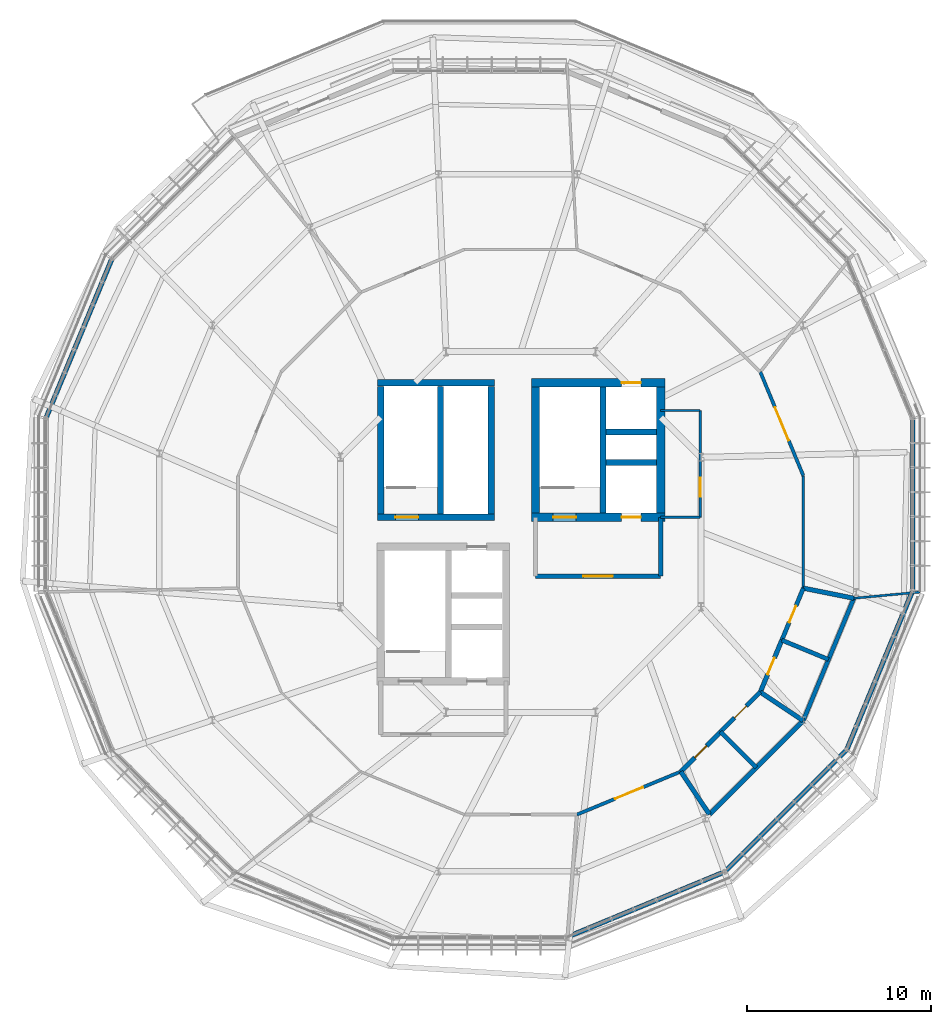
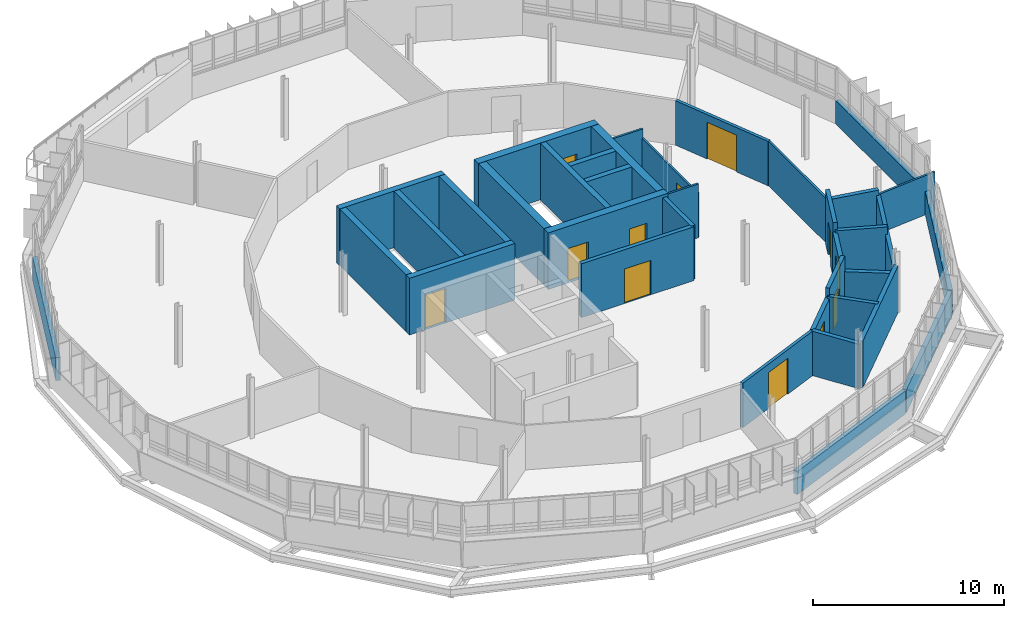
# One storey, part 27 of 31: 37 walls, 12 doors, 12 openings.
"""IFC4 building model written with IfcOpenShell, lengths in metres."""

from ifc_helpers import new_model, si_unit, derived_unit, direction, frame, frame_2d, origin, place, context, subcontext, project, spatial, rectangle, extrude, material, layer, layer_set, type_object, element, fill, save


model = new_model("IFC4")

# Units and contexts
model_context = context("Model", 3, precision=1e-05, world=origin(), true_north=direction((0.0, 1.0)))
body_context = subcontext(model_context, "Body", "Model", "MODEL_VIEW")
ifc_project = project(units=[si_unit("LENGTHUNIT", "METRE"), si_unit("AREAUNIT", "SQUARE_METRE"), si_unit("VOLUMEUNIT", "CUBIC_METRE"), si_unit("PLANEANGLEUNIT", "RADIAN"), si_unit("MASSUNIT", "GRAM", prefix="KILO"), derived_unit("THERMALTRANSMITTANCEUNIT", [(si_unit("MASSUNIT", "GRAM", prefix="KILO"), 1), (si_unit("TIMEUNIT", "SECOND"), -3), (si_unit("THERMODYNAMICTEMPERATUREUNIT", "KELVIN"), -1)])], contexts=[model_context])

# Site, building, storey
site_placement = place(None, origin())
site = spatial("IfcSite", under=ifc_project, at=site_placement, CompositionType="ELEMENT")
building_placement = place(site_placement, origin())
building = spatial("IfcBuilding", under=site, at=building_placement, Name="Makaiwela Harbour Ferry Terminal", CompositionType="ELEMENT")
storey_placement = place(building_placement, frame((0.0, 0.0, 21.60009765625)))
storey = spatial("IfcBuildingStorey", under=building, at=storey_placement, Name="L05", CompositionType="ELEMENT", Elevation=21.60009765625)

# Walls
ifc_material_1 = material(Name="Precast concrete f'c 40 MPa (6000 psi)", Category="concrete")
ifc_layer_1 = layer(ifc_material_1, 0.260009765625)
ifc_layer_set_1 = layer_set([ifc_layer_1], Name="Precast concrete f'c 40 MPa (6000 psi)")
wall_type_1 = type_object("IfcWallType", Name="ENV-WL-EXT260", PredefinedType="SOLIDWALL", material=ifc_layer_set_1)
wall_1_placement = place(storey_placement, frame((15.583251953125, 82.406005859375, 0.0), z_axis=(0.0, 0.0, 1.0), x_axis=(-0.382673140408, -0.923883795512, 0.0)))
element("IfcWall", 1, at=wall_1_placement, inside=storey, type_object=wall_type_1, Name="Drum Spandrel Backup Wall EW-L05-06", PredefinedType="SOLIDWALL", context=body_context, shape_type="SweptSolid", body=[
    extrude(rectangle(XDim=9.304443359375, YDim=0.260009765625, at=frame_2d((4.65234375, 0.0))), origin(), (0.0, 0.0, 1.0), 1.47998046875),
])
wall_2_placement = place(storey_placement, frame((40.260009765625, 45.57275390625, 0.0), z_axis=(0.0, 0.0, 1.0), x_axis=(0.923879952931, 0.38268241738, 0.0)))
element("IfcWall", 2, at=wall_2_placement, inside=storey, type_object=wall_type_1, Name="Drum Spandrel Backup Wall EW-L05-12", PredefinedType="SOLIDWALL", context=body_context, shape_type="SweptSolid", body=[
    extrude(rectangle(XDim=9.30419921875, YDim=0.260009765625, at=frame_2d((4.652099609375, 0.0))), origin(), (0.0, 0.0, 1.0), 1.47998046875),
])
for number, where, z_axis, x_axis, name in (
    (3, (48.90478515625, 49.166015625, 0.0), (0.0, 0.0, 1.0), (0.707119900659, 0.70709366147, 0.0), "Drum Spandrel Backup Wall EW-L05-13"),
    (4, (55.516845703125, 55.7939453125, 0.0), (0.0, 0.0, 1.0), (0.382673140408, 0.923883795512, 0.0), "Drum Spandrel Backup Wall EW-L05-14"),
    (5, (59.0888671875, 64.44775390625, 0.0), (0.0, 0.0, 1.0), (0.0, 1.0, 0.0), "Drum Spandrel Backup Wall EW-L05-15"),
):
    element("IfcWall", number, at=place(storey_placement, frame(where, z_axis=z_axis, x_axis=x_axis)), inside=storey, type_object=wall_type_1, Name=name, PredefinedType="SOLIDWALL", context=body_context, shape_type="SweptSolid", body=[
        extrude(rectangle(XDim=9.304443359375, YDim=0.260009765625, at=frame_2d((4.65234375, 0.0))), origin(), (0.0, 0.0, 1.0), 1.47998046875),
    ])

# Wall, opening, door
ifc_material_2 = material(Name="Fire-rated gypsum board on steel studs", Category="steel")
ifc_layer_2 = layer(ifc_material_2, 0.179931640625)
ifc_layer_set_2 = layer_set([ifc_layer_2], Name="Fire-rated gypsum board on steel studs")
wall_type_2 = type_object("IfcWallType", Name="INT-WL-FIR180", PredefinedType="PARTITIONING", material=ifc_layer_set_2)
wall_3_placement = place(storey_placement, frame((53.1494140625, 70.6533203125, 0.0), z_axis=(0.0, 0.0, 1.0), x_axis=(-0.382709614887, 0.923868686921, 0.0)))
wall_3 = element("IfcWall", 6, at=wall_3_placement, inside=storey, type_object=wall_type_2, Name="Interior Wall IW-0397", PredefinedType="PARTITIONING", context=body_context, shape_type="SweptSolid", body=[
    extrude(rectangle(XDim=6.106201171875, YDim=0.179931640625, at=frame_2d((3.05322265625, 0.0))), origin(), (0.0, 0.0, 1.0), 2.8388671875),
])
opening_1_placement = place(wall_3_placement, frame((2.078125, 0.0, 0.0)))
opening_1 = element("IfcOpeningElement", 7, at=opening_1_placement, cuts=wall_3, Name="Opening D-19", PredefinedType="OPENING", context=body_context, shape_type="SweptSolid", body=[
    extrude(rectangle(XDim=1.949951171875, YDim=2.35009765625, at=frame_2d((0.97509765625, 1.175048828125))), frame((0.0, 0.099853515625, 0.0), z_axis=(0.0, -1.0, 0.0), x_axis=(1.0, 0.0, 0.0)), (0.0, 0.0, 1.0), 0.199951171875),
])
ifc_material_3 = material(Name="Solid-core marine hardwood and painted steel frame", Category="steel")
door_type_1 = type_object("IfcDoorType", Name="INT-DR-RET195", OperationType="NOTDEFINED", PredefinedType="DOOR", material=ifc_material_3)
door_1_placement = place(opening_1_placement, frame((1.949951171875, 0.0, 0.0), z_axis=(0.0, 0.0, 1.0), x_axis=(-1.0, 0.0, 0.0)))
door_1 = element("IfcDoor", 8, at=door_1_placement, inside=storey, type_object=door_type_1, Name="Door D-19", OperationType="DOUBLE_DOOR_SINGLE_SWING", OverallHeight=2.35009765625, OverallWidth=1.949951171875, PredefinedType="DOOR", context=body_context, shape_type="SweptSolid", body=[
    extrude(rectangle(XDim=1.949951171875, YDim=2.35009765625, at=frame_2d((0.97509765625, 1.175048828125))), frame((0.0, 0.02490234375, 0.0), z_axis=(0.0, -1.0, 0.0), x_axis=(1.0, 0.0, 0.0)), (0.0, 0.0, 1.0), 0.050048828125),
])
fill(opening_1, door_1)

wall_4_placement = place(storey_placement, frame((40.853271484375, 52.250732421875, 0.0), z_axis=(0.0, 0.0, 1.0), x_axis=(0.92388282315, 0.382675487963, 0.0)))
wall_4 = element("IfcWall", 9, at=wall_4_placement, inside=storey, type_object=wall_type_2, Name="Interior Wall IW-0409", PredefinedType="PARTITIONING", context=body_context, shape_type="SweptSolid", body=[
    extrude(rectangle(XDim=6.106201171875, YDim=0.179931640625, at=frame_2d((3.05322265625, 0.0))), origin(), (0.0, 0.0, 1.0), 2.8388671875),
])
opening_2_placement = place(wall_4_placement, frame((2.228271484375, 0.0, 0.0)))
opening_2 = element("IfcOpeningElement", 10, at=opening_2_placement, cuts=wall_4, Name="Opening D-17", PredefinedType="OPENING", context=body_context, shape_type="SweptSolid", body=[
    extrude(rectangle(XDim=1.64990234375, YDim=2.300048828125, at=frame_2d((0.824951171875, 1.14990234375))), frame((0.0, 0.099853515625, 0.0), z_axis=(0.0, -1.0, 0.0), x_axis=(1.0, 0.0, 0.0)), (0.0, 0.0, 1.0), 0.199951171875),
])
door_type_2 = type_object("IfcDoorType", Name="INT-DR-DIN165", OperationType="NOTDEFINED", PredefinedType="DOOR", material=ifc_material_3)
door_2_placement = place(opening_2_placement, frame((1.64990234375, 0.0, 0.0), z_axis=(0.0, 0.0, 1.0), x_axis=(-1.0, 0.0, 0.0)))
door_2 = element("IfcDoor", 11, at=door_2_placement, inside=storey, type_object=door_type_2, Name="Door D-17", OperationType="DOUBLE_DOOR_SINGLE_SWING", OverallHeight=2.300048828125, OverallWidth=1.64990234375, PredefinedType="DOOR", context=body_context, shape_type="SweptSolid", body=[
    extrude(rectangle(XDim=1.64990234375, YDim=2.300048828125, at=frame_2d((0.824951171875, 1.14990234375))), frame((0.0, 0.02490234375, 0.0), z_axis=(0.0, -1.0, 0.0), x_axis=(1.0, 0.0, 0.0)), (0.0, 0.0, 1.0), 0.050048828125),
])
fill(opening_2, door_2)

ifc_layer_3 = layer(ifc_material_2, 0.239990234375)
ifc_layer_set_3 = layer_set([ifc_layer_3], Name="Fire-rated gypsum board on steel studs")
wall_type_3 = type_object("IfcWallType", Name="INT-WL-FIR240", PredefinedType="SOLIDWALL", material=ifc_layer_set_3)
wall_5_placement = place(storey_placement, frame((38.60009765625, 65.199951171875, 0.0), z_axis=(0.0, 0.0, 1.0), x_axis=(1.0, 0.0, 0.0)))
wall_5 = element("IfcWall", 12, at=wall_5_placement, inside=storey, type_object=wall_type_3, Name="Interior Wall IW-0051", PredefinedType="SOLIDWALL", context=body_context, shape_type="SweptSolid", body=[
    extrude(rectangle(XDim=6.7998046875, YDim=0.239990234375, at=frame_2d((3.39990234375, 0.0))), origin(), (0.0, 0.0, 1.0), 3.43994140625),
])
opening_3_placement = place(wall_5_placement, frame((2.60009765625, 0.0, 0.0)))
opening_3 = element("IfcOpeningElement", 13, at=opening_3_placement, cuts=wall_5, Name="Opening D-03", PredefinedType="OPENING", context=body_context, shape_type="SweptSolid", body=[
    extrude(rectangle(XDim=1.60009765625, YDim=2.199951171875, at=frame_2d((0.800048828125, 1.10009765625))), frame((0.0, 0.1298828125, 0.0), z_axis=(0.0, -1.0, 0.0), x_axis=(1.0, 0.0, 0.0)), (0.0, 0.0, 1.0), 0.260009765625),
])
ifc_material_4 = material(Name="Insulated galvanised fire-rated steel leaf and frame", Category="steel")
door_type_3 = type_object("IfcDoorType", Name="INT-DR-FFL160", OperationType="NOTDEFINED", PredefinedType="DOOR", material=ifc_material_4)
door_3_placement = place(opening_3_placement, frame((1.60009765625, 0.0, 0.0), z_axis=(0.0, 0.0, 1.0), x_axis=(-1.0, 0.0, 0.0)))
door_3 = element("IfcDoor", 14, at=door_3_placement, inside=storey, type_object=door_type_3, Name="Door D-03", OperationType="DOUBLE_DOOR_SINGLE_SWING", OverallHeight=2.199951171875, OverallWidth=1.60009765625, PredefinedType="DOOR", context=body_context, shape_type="SweptSolid", body=[
    extrude(rectangle(XDim=1.60009765625, YDim=2.199951171875, at=frame_2d((0.800048828125, 1.10009765625))), frame((0.0, 0.02490234375, 0.0), z_axis=(0.0, -1.0, 0.0), x_axis=(1.0, 0.0, 0.0)), (0.0, 0.0, 1.0), 0.050048828125),
])
fill(opening_3, door_3)

# Wall
wall_6_placement = place(storey_placement, frame((45.39990234375, 65.199951171875, 0.0), z_axis=(0.0, 0.0, 1.0), x_axis=(0.0, 1.0, 0.0)))
element("IfcWall", 15, at=wall_6_placement, inside=storey, type_object=wall_type_3, Name="Interior Wall IW-0053", PredefinedType="SOLIDWALL", context=body_context, shape_type="SweptSolid", body=[
    extrude(rectangle(XDim=3.199951171875, YDim=0.239990234375, at=frame_2d((1.60009765625, 0.0))), origin(), (0.0, 0.0, 1.0), 3.43994140625),
])

# Wall, opening, door
ifc_material_5 = material(Name="Moisture-resistant acoustic gypsum partition", Category="gypsum")
ifc_layer_4 = layer(ifc_material_5, 0.22998046875)
ifc_layer_set_4 = layer_set([ifc_layer_4], Name="Moisture-resistant acoustic gypsum partition")
wall_type_4 = type_object("IfcWallType", Name="INT-WL-PLM230", PredefinedType="PLUMBINGWALL", material=ifc_layer_set_4)
wall_7_placement = place(storey_placement, frame((48.653564453125, 56.746337890625, 0.0), z_axis=(0.0, 0.0, 1.0), x_axis=(0.707106781187, 0.707106781187, 0.0)))
wall_7 = element("IfcWall", 16, at=wall_7_placement, inside=storey, type_object=wall_type_4, Name="Interior Wall IW-0411", PredefinedType="PLUMBINGWALL", context=body_context, shape_type="SweptSolid", body=[
    extrude(rectangle(XDim=3.05322265625, YDim=0.22998046875, at=frame_2d((1.526611328125, 0.0))), origin(), (0.0, 0.0, 1.0), 3.43994140625),
])
opening_4_placement = place(wall_7_placement, frame((1.066650390625, 0.0, 0.0)))
opening_4 = element("IfcOpeningElement", 17, at=opening_4_placement, cuts=wall_7, Name="Opening D-11", PredefinedType="OPENING", context=body_context, shape_type="SweptSolid", body=[
    extrude(rectangle(XDim=0.919921875, YDim=2.10009765625, at=frame_2d((0.4599609375, 1.050048828125))), frame((0.0, 0.125, 0.0), z_axis=(0.0, -1.0, 0.0), x_axis=(1.0, 0.0, 0.0)), (0.0, 0.0, 1.0), 0.25),
])
door_type_4 = type_object("IfcDoorType", Name="INT-DR-WC092", OperationType="NOTDEFINED", PredefinedType="DOOR", material=ifc_material_3)
door_4_placement = place(opening_4_placement, frame((0.919921875, 0.0, 0.0), z_axis=(0.0, 0.0, 1.0), x_axis=(-1.0, 0.0, 0.0)))
door_4 = element("IfcDoor", 18, at=door_4_placement, inside=storey, type_object=door_type_4, Name="Door D-11", OperationType="SINGLE_SWING_RIGHT", OverallHeight=2.10009765625, OverallWidth=0.919921875, PredefinedType="DOOR", context=body_context, shape_type="SweptSolid", body=[
    extrude(rectangle(XDim=0.919921875, YDim=2.10009765625, at=frame_2d((0.4599609375, 1.050048828125))), frame((0.0, 0.02490234375, 0.0), z_axis=(0.0, -1.0, 0.0), x_axis=(1.0, 0.0, 0.0)), (0.0, 0.0, 1.0), 0.050048828125),
])
fill(opening_4, door_4)

# Wall
wall_8_placement = place(storey_placement, frame((48.653564453125, 56.746337890625, 0.0), z_axis=(0.0, 0.0, 1.0), x_axis=(0.707106781187, -0.707106781187, 0.0)))
element("IfcWall", 19, at=wall_8_placement, inside=storey, type_object=wall_type_4, Name="Interior Wall IW-0413", PredefinedType="PLUMBINGWALL", context=body_context, shape_type="SweptSolid", body=[
    extrude(rectangle(XDim=2.746337890625, YDim=0.22998046875, at=frame_2d((1.373046875, 0.0))), origin(), (0.0, 0.0, 1.0), 2.97900390625),
])

# Wall, opening, door
wall_9_placement = place(storey_placement, frame((51.98095703125, 61.72607421875, 0.0), z_axis=(0.0, 0.0, 1.0), x_axis=(0.382695478721, 0.923874542655, 0.0)))
wall_9 = element("IfcWall", 20, at=wall_9_placement, inside=storey, type_object=wall_type_4, Name="Interior Wall IW-0416", PredefinedType="PLUMBINGWALL", context=body_context, shape_type="SweptSolid", body=[
    extrude(rectangle(XDim=3.05322265625, YDim=0.22998046875, at=frame_2d((1.526611328125, 0.0))), origin(), (0.0, 0.0, 1.0), 3.43994140625),
])
opening_5_placement = place(wall_9_placement, frame((1.03662109375, 0.0, 0.0)))
opening_5 = element("IfcOpeningElement", 21, at=opening_5_placement, cuts=wall_9, Name="Opening D-12", PredefinedType="OPENING", context=body_context, shape_type="SweptSolid", body=[
    extrude(rectangle(XDim=0.97998046875, YDim=2.14990234375, at=frame_2d((0.489990234375, 1.074951171875))), frame((0.0, 0.125, 0.0), z_axis=(0.0, -1.0, 0.0), x_axis=(1.0, 0.0, 0.0)), (0.0, 0.0, 1.0), 0.25),
])
door_type_5 = type_object("IfcDoorType", Name="INT-DR-WC098", OperationType="NOTDEFINED", PredefinedType="DOOR", material=ifc_material_3)
door_5_placement = place(opening_5_placement, frame((0.97998046875, 0.0, 0.0), z_axis=(0.0, 0.0, 1.0), x_axis=(-1.0, 0.0, 0.0)))
door_5 = element("IfcDoor", 22, at=door_5_placement, inside=storey, type_object=door_type_5, Name="Door D-12", OperationType="SINGLE_SWING_RIGHT", OverallHeight=2.14990234375, OverallWidth=0.97998046875, PredefinedType="DOOR", context=body_context, shape_type="SweptSolid", body=[
    extrude(rectangle(XDim=0.97998046875, YDim=2.14990234375, at=frame_2d((0.489990234375, 1.074951171875))), frame((0.0, 0.02490234375, 0.0), z_axis=(0.0, -1.0, 0.0), x_axis=(1.0, 0.0, 0.0)), (0.0, 0.0, 1.0), 0.050048828125),
])
fill(opening_5, door_5)

# Walls
wall_10_placement = place(storey_placement, frame((53.140625, 57.349609375, 0.0), z_axis=(0.0, 0.0, 1.0), x_axis=(0.382683262556, 0.923879602849, 0.0)))
element("IfcWall", 23, at=wall_10_placement, inside=storey, type_object=wall_type_4, Name="Interior Wall IW-0417", PredefinedType="PLUMBINGWALL", context=body_context, shape_type="SweptSolid", body=[
    extrude(rectangle(XDim=7.198974609375, YDim=0.22998046875, at=frame_2d((3.599609375, 0.0))), origin(), (0.0, 0.0, 1.0), 2.5048828125),
])
wall_11_placement = place(storey_placement, frame((51.98095703125, 61.72607421875, 0.0), z_axis=(0.0, 0.0, 1.0), x_axis=(0.923895478672, -0.38264493266, 0.0)))
element("IfcWall", 24, at=wall_11_placement, inside=storey, type_object=wall_type_4, Name="Interior Wall IW-0418", PredefinedType="PLUMBINGWALL", context=body_context, shape_type="SweptSolid", body=[
    extrude(rectangle(XDim=2.74609375, YDim=0.22998046875, at=frame_2d((1.373046875, 0.0))), origin(), (0.0, 0.0, 1.0), 2.97900390625),
])

# Wall, opening, door
ifc_layer_5 = layer(ifc_material_5, 0.25)
ifc_layer_set_5 = layer_set([ifc_layer_5], Name="Moisture-resistant acoustic gypsum partition")
wall_type_5 = type_object("IfcWallType", Name="INT-WL-PLM250", PredefinedType="PLUMBINGWALL", material=ifc_layer_set_5)
wall_12_placement = place(storey_placement, frame((46.49462890625, 54.58740234375, 0.0), z_axis=(0.0, 0.0, 1.0), x_axis=(0.707106781187, 0.707106781187, 0.0)))
wall_12 = element("IfcWall", 25, at=wall_12_placement, inside=storey, type_object=wall_type_5, Name="Interior Wall IW-0410", PredefinedType="PLUMBINGWALL", context=body_context, shape_type="SweptSolid", body=[
    extrude(rectangle(XDim=3.05322265625, YDim=0.25, at=frame_2d((1.526611328125, 0.0))), origin(), (0.0, 0.0, 1.0), 2.8388671875),
])
opening_6_placement = place(wall_12_placement, frame((1.066650390625, 0.0, 0.0)))
opening_6 = element("IfcOpeningElement", 26, at=opening_6_placement, cuts=wall_12, Name="Opening D-11", PredefinedType="OPENING", context=body_context, shape_type="SweptSolid", body=[
    extrude(rectangle(XDim=0.919921875, YDim=2.10009765625, at=frame_2d((0.4599609375, 1.050048828125))), frame((0.0, 0.135009765625, 0.0), z_axis=(0.0, -1.0, 0.0), x_axis=(1.0, 0.0, 0.0)), (0.0, 0.0, 1.0), 0.27001953125),
])
door_6_placement = place(opening_6_placement, frame((0.919921875, 0.0, 0.0), z_axis=(0.0, 0.0, 1.0), x_axis=(-1.0, 0.0, 0.0)))
door_6 = element("IfcDoor", 27, at=door_6_placement, inside=storey, type_object=door_type_4, Name="Door D-11", OperationType="SINGLE_SWING_LEFT", OverallHeight=2.10009765625, OverallWidth=0.919921875, PredefinedType="DOOR", context=body_context, shape_type="SweptSolid", body=[
    extrude(rectangle(XDim=0.919921875, YDim=2.10009765625, at=frame_2d((0.4599609375, 1.050048828125))), frame((0.0, 0.02490234375, 0.0), z_axis=(0.0, -1.0, 0.0), x_axis=(1.0, 0.0, 0.0)), (0.0, 0.0, 1.0), 0.050048828125),
])
fill(opening_6, door_6)

# Walls
wall_13_placement = place(storey_placement, frame((48.05029296875, 52.259521484375, 0.0), z_axis=(0.0, 0.0, 1.0), x_axis=(0.707123738387, 0.707089823579, 0.0)))
element("IfcWall", 28, at=wall_13_placement, inside=storey, type_object=wall_type_5, Name="Interior Wall IW-0412", PredefinedType="PLUMBINGWALL", context=body_context, shape_type="SweptSolid", body=[
    extrude(rectangle(XDim=7.19873046875, YDim=0.25, at=frame_2d((3.599365234375, 0.0))), origin(), (0.0, 0.0, 1.0), 2.97900390625),
])
wall_14_placement = place(storey_placement, frame((46.49462890625, 54.58740234375, 0.0), z_axis=(0.0, 0.0, 1.0), x_axis=(0.555625493009, -0.831432686102, 0.0)))
element("IfcWall", 29, at=wall_14_placement, inside=storey, type_object=wall_type_5, Name="Interior Wall IW-0414", PredefinedType="PLUMBINGWALL", context=body_context, shape_type="SweptSolid", body=[
    extrude(rectangle(XDim=2.7998046875, YDim=0.25, at=frame_2d((1.39990234375, 0.0))), origin(), (0.0, 0.0, 1.0), 2.8388671875),
])

# Wall, opening, door
wall_15_placement = place(storey_placement, frame((50.8125, 58.9052734375, 0.0), z_axis=(0.0, 0.0, 1.0), x_axis=(0.382695478721, 0.923874542655, 0.0)))
wall_15 = element("IfcWall", 30, at=wall_15_placement, inside=storey, type_object=wall_type_5, Name="Interior Wall IW-0415", PredefinedType="PLUMBINGWALL", context=body_context, shape_type="SweptSolid", body=[
    extrude(rectangle(XDim=3.05322265625, YDim=0.25, at=frame_2d((1.526611328125, 0.0))), origin(), (0.0, 0.0, 1.0), 2.8388671875),
])
opening_7_placement = place(wall_15_placement, frame((1.03662109375, 0.0, 0.0)))
opening_7 = element("IfcOpeningElement", 31, at=opening_7_placement, cuts=wall_15, Name="Opening D-12", PredefinedType="OPENING", context=body_context, shape_type="SweptSolid", body=[
    extrude(rectangle(XDim=0.97998046875, YDim=2.14990234375, at=frame_2d((0.489990234375, 1.074951171875))), frame((0.0, 0.135009765625, 0.0), z_axis=(0.0, -1.0, 0.0), x_axis=(1.0, 0.0, 0.0)), (0.0, 0.0, 1.0), 0.27001953125),
])
door_7_placement = place(opening_7_placement, frame((0.97998046875, 0.0, 0.0), z_axis=(0.0, 0.0, 1.0), x_axis=(-1.0, 0.0, 0.0)))
door_7 = element("IfcDoor", 32, at=door_7_placement, inside=storey, type_object=door_type_5, Name="Door D-12", OperationType="SINGLE_SWING_LEFT", OverallHeight=2.14990234375, OverallWidth=0.97998046875, PredefinedType="DOOR", context=body_context, shape_type="SweptSolid", body=[
    extrude(rectangle(XDim=0.97998046875, YDim=2.14990234375, at=frame_2d((0.489990234375, 1.074951171875))), frame((0.0, 0.02490234375, 0.0), z_axis=(0.0, -1.0, 0.0), x_axis=(1.0, 0.0, 0.0)), (0.0, 0.0, 1.0), 0.050048828125),
])
fill(opening_7, door_7)

# Walls
wall_16_placement = place(storey_placement, frame((50.8125, 58.9052734375, 0.0), z_axis=(0.0, 0.0, 1.0), x_axis=(0.831459602906, -0.555585212848, 0.0)))
element("IfcWall", 33, at=wall_16_placement, inside=storey, type_object=wall_type_5, Name="Interior Wall IW-0419", PredefinedType="PLUMBINGWALL", context=body_context, shape_type="SweptSolid", body=[
    extrude(rectangle(XDim=2.800048828125, YDim=0.25, at=frame_2d((1.39990234375, 0.0))), origin(), (0.0, 0.0, 1.0), 2.5048828125),
])
wall_17_placement = place(storey_placement, frame((53.1494140625, 64.546875, 0.0), z_axis=(0.0, 0.0, 1.0), x_axis=(0.980774706367, -0.19514347376, 0.0)))
element("IfcWall", 34, at=wall_17_placement, inside=storey, type_object=wall_type_5, Name="Interior Wall IW-0420", PredefinedType="PLUMBINGWALL", context=body_context, shape_type="SweptSolid", body=[
    extrude(rectangle(XDim=2.7998046875, YDim=0.25, at=frame_2d((1.39990234375, 0.0))), origin(), (0.0, 0.0, 1.0), 2.8388671875),
])
ifc_layer_6 = layer(ifc_material_5, 0.1201171875)
ifc_layer_set_6 = layer_set([ifc_layer_6], Name="Moisture-resistant acoustic gypsum partition")
wall_type_6 = type_object("IfcWallType", Name="INT-WL-PRT120", PredefinedType="PARTITIONING", material=ifc_layer_set_6)
wall_18_placement = place(storey_placement, frame((53.1494140625, 64.546875, 0.0), z_axis=(0.0, 0.0, 1.0), x_axis=(0.0, 1.0, 0.0)))
element("IfcWall", 35, at=wall_18_placement, inside=storey, type_object=wall_type_6, Name="Interior Wall IW-0421", PredefinedType="PARTITIONING", context=body_context, shape_type="SweptSolid", body=[
    extrude(rectangle(XDim=6.1064453125, YDim=0.1201171875, at=frame_2d((3.05322265625, 0.0))), origin(), (0.0, 0.0, 1.0), 2.8388671875),
])
wall_19_placement = place(storey_placement, frame((55.8955078125, 64.00048828125, 0.0), z_axis=(0.0, 0.0, 1.0), x_axis=(0.995625779483, 0.093430761679, 0.0)))
element("IfcWall", 36, at=wall_19_placement, inside=storey, type_object=wall_type_6, Name="Interior Wall IW-0430", PredefinedType="PARTITIONING", context=body_context, shape_type="SweptSolid", body=[
    extrude(rectangle(XDim=3.611328125, YDim=0.1201171875, at=frame_2d((1.8056640625, 0.0))), origin(), (0.0, 0.0, 1.0), 2.5048828125),
])
wall_20_placement = place(storey_placement, frame((45.39990234375, 68.39990234375, 0.0), z_axis=(0.0, 0.0, 1.0), x_axis=(1.0, 0.0, 0.0)))
element("IfcWall", 37, at=wall_20_placement, inside=storey, type_object=wall_type_6, Name="Interior Wall IW-0431", PredefinedType="PARTITIONING", context=body_context, shape_type="SweptSolid", body=[
    extrude(rectangle(XDim=2.150146484375, YDim=0.1201171875, at=frame_2d((1.0751953125, 0.0))), origin(), (0.0, 0.0, 1.0), 3.43994140625),
])

# Wall, opening, door
wall_21_placement = place(storey_placement, frame((47.550048828125, 68.39990234375, 0.0), z_axis=(0.0, 0.0, 1.0), x_axis=(0.0, 1.0, 0.0)))
wall_21 = element("IfcWall", 38, at=wall_21_placement, inside=storey, type_object=wall_type_6, Name="Interior Wall IW-0432", PredefinedType="PARTITIONING", context=body_context, shape_type="SweptSolid", body=[
    extrude(rectangle(XDim=5.800048828125, YDim=0.1201171875, at=frame_2d((2.89990234375, 0.0))), origin(), (0.0, 0.0, 1.0), 2.8388671875),
])
opening_8_placement = place(wall_21_placement, frame((1.114013671875, 0.0, 0.0)))
opening_8 = element("IfcOpeningElement", 39, at=opening_8_placement, cuts=wall_21, Name="Opening D-13", PredefinedType="OPENING", context=body_context, shape_type="SweptSolid", body=[
    extrude(rectangle(XDim=1.02001953125, YDim=2.199951171875, at=frame_2d((0.510009765625, 1.10009765625))), frame((0.0, 0.070068359375, 0.0), z_axis=(0.0, -1.0, 0.0), x_axis=(1.0, 0.0, 0.0)), (0.0, 0.0, 1.0), 0.14013671875),
])
door_type_6 = type_object("IfcDoorType", Name="INT-DR-OFF102", OperationType="NOTDEFINED", PredefinedType="DOOR", material=ifc_material_3)
door_8_placement = place(opening_8_placement, origin())
door_8 = element("IfcDoor", 40, at=door_8_placement, inside=storey, type_object=door_type_6, Name="Door D-13", OperationType="SINGLE_SWING_LEFT", OverallHeight=2.199951171875, OverallWidth=1.02001953125, PredefinedType="DOOR", context=body_context, shape_type="SweptSolid", body=[
    extrude(rectangle(XDim=1.02001953125, YDim=2.199951171875, at=frame_2d((0.510009765625, 1.10009765625))), frame((0.0, 0.02490234375, 0.0), z_axis=(0.0, -1.0, 0.0), x_axis=(1.0, 0.0, 0.0)), (0.0, 0.0, 1.0), 0.050048828125),
])
fill(opening_8, door_8)

# Walls
wall_22_placement = place(storey_placement, frame((47.550048828125, 74.199951171875, 0.0), z_axis=(0.0, 0.0, 1.0), x_axis=(-1.0, 0.0, 0.0)))
element("IfcWall", 41, at=wall_22_placement, inside=storey, type_object=wall_type_6, Name="Interior Wall IW-0433", PredefinedType="PARTITIONING", context=body_context, shape_type="SweptSolid", body=[
    extrude(rectangle(XDim=2.150146484375, YDim=0.1201171875, at=frame_2d((1.0751953125, 0.0))), origin(), (0.0, 0.0, 1.0), 3.43994140625),
])
ifc_material_6 = material(Name="Concrete f'c 45 MPa (6500 psi)", Category="concrete")
ifc_layer_7 = layer(ifc_material_6, 0.320068359375)
ifc_layer_set_7 = layer_set([ifc_layer_7], Name="Concrete f'c 45 MPa (6500 psi)")
wall_type_7 = type_object("IfcWallType", Name="INT-WL-SHR320", PredefinedType="SHEAR", material=ifc_layer_set_7)
wall_23_placement = place(storey_placement, frame((42.27197265625, 68.635009765625, 0.0), z_axis=(0.0, 0.0, 1.0), x_axis=(0.0, 1.0, 0.0)))
element("IfcWall", 42, at=wall_23_placement, inside=storey, type_object=wall_type_7, Name="Interior Wall IW-0058", PredefinedType="SHEAR", context=body_context, shape_type="SweptSolid", body=[
    extrude(rectangle(XDim=6.830078125, YDim=0.320068359375, at=frame_2d((3.4150390625, 0.0))), origin(), (0.0, 0.0, 1.0), 3.619873046875),
])
for number, where, z_axis, x_axis, name in (
    (43, (42.43701171875, 71.364990234375, 0.0), (0.0, 0.0, 1.0), (1.0, 0.0, 0.0), "Interior Wall IW-0059"),
    (44, (42.43701171875, 73.034912109375, 0.0), (0.0, 0.0, 1.0), (1.0, 0.0, 0.0), "Interior Wall IW-0060"),
):
    element("IfcWall", number, at=place(storey_placement, frame(where, z_axis=z_axis, x_axis=x_axis)), inside=storey, type_object=wall_type_7, Name=name, PredefinedType="SHEAR", context=body_context, shape_type="SweptSolid", body=[
        extrude(rectangle(XDim=2.73291015625, YDim=0.320068359375, at=frame_2d((1.366455078125, 0.0))), origin(), (0.0, 0.0, 1.0), 3.619873046875),
    ])
wall_24_placement = place(storey_placement, frame((33.43994140625, 68.590087890625, 0.0), z_axis=(0.0, 0.0, 1.0), x_axis=(0.0, 1.0, 0.0)))
element("IfcWall", 45, at=wall_24_placement, inside=storey, type_object=wall_type_7, Name="Interior Wall IW-0161", PredefinedType="SHEAR", context=body_context, shape_type="SweptSolid", body=[
    extrude(rectangle(XDim=6.919921875, YDim=0.320068359375, at=frame_2d((3.4599609375, 0.0))), origin(), (0.0, 0.0, 1.0), 3.619873046875),
])

# Wall, opening, door
ifc_layer_8 = layer(ifc_material_6, 0.360107421875)
ifc_layer_set_8 = layer_set([ifc_layer_8], Name="Concrete f'c 45 MPa (6500 psi)")
wall_type_8 = type_object("IfcWallType", Name="INT-WL-SHR360", PredefinedType="SHEAR", material=ifc_layer_set_8)
wall_25_placement = place(storey_placement, frame((30.02001953125, 68.39990234375, 0.0), z_axis=(0.0, 0.0, 1.0), x_axis=(1.0, 0.0, 0.0)))
wall_25 = element("IfcWall", 46, at=wall_25_placement, inside=storey, type_object=wall_type_8, Name="Interior Wall IW-0157", PredefinedType="SHEAR", context=body_context, shape_type="SweptSolid", body=[
    extrude(rectangle(XDim=6.35986328125, YDim=0.360107421875, at=frame_2d((3.179931640625, 0.0))), origin(), (0.0, 0.0, 1.0), 3.619873046875),
])
opening_9_placement = place(wall_25_placement, frame((0.965087890625, 0.0, 0.0)))
opening_9 = element("IfcOpeningElement", 47, at=opening_9_placement, cuts=wall_25, Name="Opening D-02", PredefinedType="OPENING", context=body_context, shape_type="SweptSolid", body=[
    extrude(rectangle(XDim=1.25, YDim=2.199951171875, at=frame_2d((0.625, 1.10009765625))), frame((0.0, 0.18994140625, 0.0), z_axis=(0.0, -1.0, 0.0), x_axis=(1.0, 0.0, 0.0)), (0.0, 0.0, 1.0), 0.380126953125),
])
door_type_7 = type_object("IfcDoorType", Name="INT-DR-ST125", OperationType="NOTDEFINED", PredefinedType="DOOR", material=ifc_material_4)
door_9_placement = place(opening_9_placement, frame((1.25, 0.0, 0.0), z_axis=(0.0, 0.0, 1.0), x_axis=(-1.0, 0.0, 0.0)))
door_9 = element("IfcDoor", 48, at=door_9_placement, inside=storey, type_object=door_type_7, Name="Door D-02", OperationType="SINGLE_SWING_LEFT", OverallHeight=2.199951171875, OverallWidth=1.25, PredefinedType="DOOR", context=body_context, shape_type="SweptSolid", body=[
    extrude(rectangle(XDim=1.25, YDim=2.199951171875, at=frame_2d((0.625, 1.10009765625))), frame((0.0, 0.02490234375, 0.0), z_axis=(0.0, -1.0, 0.0), x_axis=(1.0, 0.0, 0.0)), (0.0, 0.0, 1.0), 0.050048828125),
])
fill(opening_9, door_9)

# Walls
wall_26_placement = place(storey_placement, frame((30.02001953125, 75.699951171875, 0.0), z_axis=(0.0, 0.0, 1.0), x_axis=(1.0, 0.0, 0.0)))
element("IfcWall", 49, at=wall_26_placement, inside=storey, type_object=wall_type_8, Name="Interior Wall IW-0158", PredefinedType="SHEAR", context=body_context, shape_type="SweptSolid", body=[
    extrude(rectangle(XDim=6.35986328125, YDim=0.360107421875, at=frame_2d((3.179931640625, 0.0))), origin(), (0.0, 0.0, 1.0), 3.619873046875),
])
for number, where, z_axis, x_axis, name in (
    (50, (30.199951171875, 68.590087890625, 0.0), (0.0, 0.0, 1.0), (0.0, 1.0, 0.0), "Interior Wall IW-0159"),
    (51, (36.199951171875, 68.590087890625, 0.0), (0.0, 0.0, 1.0), (0.0, 1.0, 0.0), "Interior Wall IW-0160"),
):
    element("IfcWall", number, at=place(storey_placement, frame(where, z_axis=z_axis, x_axis=x_axis)), inside=storey, type_object=wall_type_8, Name=name, PredefinedType="SHEAR", context=body_context, shape_type="SweptSolid", body=[
        extrude(rectangle(XDim=6.919921875, YDim=0.360107421875, at=frame_2d((3.4599609375, 0.0))), origin(), (0.0, 0.0, 1.0), 3.619873046875),
    ])

# Wall, openings, doors
ifc_layer_9 = layer(ifc_material_6, 0.449951171875)
ifc_layer_set_9 = layer_set([ifc_layer_9], Name="Concrete f'c 45 MPa (6500 psi)")
wall_type_9 = type_object("IfcWallType", Name="INT-WL-SHR450", PredefinedType="SHEAR", material=ifc_layer_set_9)
wall_27_placement = place(storey_placement, frame((38.375, 68.39990234375, 0.0), z_axis=(0.0, 0.0, 1.0), x_axis=(1.0, 0.0, 0.0)))
wall_27 = element("IfcWall", 52, at=wall_27_placement, inside=storey, type_object=wall_type_9, Name="Interior Wall IW-0054", PredefinedType="SHEAR", context=body_context, shape_type="SweptSolid", body=[
    extrude(rectangle(XDim=7.25, YDim=0.449951171875, at=frame_2d((3.625, 0.0))), origin(), (0.0, 0.0, 1.0), 3.619873046875),
])
opening_10_placement = place(wall_27_placement, frame((1.1875, 0.0, 0.0)))
opening_10 = element("IfcOpeningElement", 53, at=opening_10_placement, cuts=wall_27, Name="Opening D-02", PredefinedType="OPENING", context=body_context, shape_type="SweptSolid", body=[
    extrude(rectangle(XDim=1.25, YDim=2.199951171875, at=frame_2d((0.625, 1.10009765625))), frame((0.0, 0.23486328125, 0.0), z_axis=(0.0, -1.0, 0.0), x_axis=(1.0, 0.0, 0.0)), (0.0, 0.0, 1.0), 0.469970703125),
])
opening_11_placement = place(wall_27_placement, frame((4.90380859375, 0.0, 0.0)))
opening_11 = element("IfcOpeningElement", 54, at=opening_11_placement, cuts=wall_27, Name="Opening LD-01", PredefinedType="OPENING", context=body_context, shape_type="SweptSolid", body=[
    extrude(rectangle(XDim=1.050048828125, YDim=2.14990234375, at=frame_2d((0.52490234375, 1.074951171875))), frame((0.0, 0.23486328125, 0.0), z_axis=(0.0, -1.0, 0.0), x_axis=(1.0, 0.0, 0.0)), (0.0, 0.0, 1.0), 0.469970703125),
])
ifc_material_7 = material(Name="Marine grade 316L brushed stainless steel", Category="steel")
door_type_8 = type_object("IfcDoorType", Name="INT-DR-LD105", OperationType="NOTDEFINED", PredefinedType="DOOR", material=ifc_material_7)
door_10_placement = place(opening_11_placement, frame((1.050048828125, 0.0, 0.0), z_axis=(0.0, 0.0, 1.0), x_axis=(-1.0, 0.0, 0.0)))
door_10 = element("IfcDoor", 55, at=door_10_placement, inside=storey, type_object=door_type_8, Name="Door LD-01", OperationType="DOUBLE_DOOR_SLIDING", OverallHeight=2.14990234375, OverallWidth=1.050048828125, PredefinedType="DOOR", context=body_context, shape_type="SweptSolid", body=[
    extrude(rectangle(XDim=1.050048828125, YDim=2.14990234375, at=frame_2d((0.52490234375, 1.074951171875))), frame((0.0, 0.02490234375, 0.0), z_axis=(0.0, -1.0, 0.0), x_axis=(1.0, 0.0, 0.0)), (0.0, 0.0, 1.0), 0.050048828125),
])
fill(opening_11, door_10)
door_11_placement = place(opening_10_placement, frame((1.25, 0.0, 0.0), z_axis=(0.0, 0.0, 1.0), x_axis=(-1.0, 0.0, 0.0)))
door_11 = element("IfcDoor", 56, at=door_11_placement, inside=storey, type_object=door_type_7, Name="Door D-02", OperationType="SINGLE_SWING_RIGHT", OverallHeight=2.199951171875, OverallWidth=1.25, PredefinedType="DOOR", context=body_context, shape_type="SweptSolid", body=[
    extrude(rectangle(XDim=1.25, YDim=2.199951171875, at=frame_2d((0.625, 1.10009765625))), frame((0.0, 0.02490234375, 0.0), z_axis=(0.0, -1.0, 0.0), x_axis=(1.0, 0.0, 0.0)), (0.0, 0.0, 1.0), 0.050048828125),
])
fill(opening_10, door_11)

# Wall, opening, door
wall_28_placement = place(storey_placement, frame((38.375, 75.699951171875, 0.0), z_axis=(0.0, 0.0, 1.0), x_axis=(1.0, 0.0, 0.0)))
wall_28 = element("IfcWall", 57, at=wall_28_placement, inside=storey, type_object=wall_type_9, Name="Interior Wall IW-0055", PredefinedType="SHEAR", context=body_context, shape_type="SweptSolid", body=[
    extrude(rectangle(XDim=7.25, YDim=0.449951171875, at=frame_2d((3.625, 0.0))), origin(), (0.0, 0.0, 1.0), 3.619873046875),
])
opening_12_placement = place(wall_28_placement, frame((4.90380859375, 0.0, 0.0)))
opening_12 = element("IfcOpeningElement", 58, at=opening_12_placement, cuts=wall_28, Name="Opening LD-01", PredefinedType="OPENING", context=body_context, shape_type="SweptSolid", body=[
    extrude(rectangle(XDim=1.050048828125, YDim=2.14990234375, at=frame_2d((0.52490234375, 1.074951171875))), frame((0.0, 0.23486328125, 0.0), z_axis=(0.0, -1.0, 0.0), x_axis=(1.0, 0.0, 0.0)), (0.0, 0.0, 1.0), 0.469970703125),
])
door_12_placement = place(opening_12_placement, origin())
door_12 = element("IfcDoor", 59, at=door_12_placement, inside=storey, type_object=door_type_8, Name="Door LD-01", OperationType="DOUBLE_DOOR_SLIDING", OverallHeight=2.14990234375, OverallWidth=1.050048828125, PredefinedType="DOOR", context=body_context, shape_type="SweptSolid", body=[
    extrude(rectangle(XDim=1.050048828125, YDim=2.14990234375, at=frame_2d((0.52490234375, 1.074951171875))), frame((0.0, 0.02490234375, 0.0), z_axis=(0.0, -1.0, 0.0), x_axis=(1.0, 0.0, 0.0)), (0.0, 0.0, 1.0), 0.050048828125),
])
fill(opening_12, door_12)

# Walls
for number, where, z_axis, x_axis, name in (
    (60, (38.60009765625, 68.635009765625, 0.0), (0.0, 0.0, 1.0), (0.0, 1.0, 0.0), "Interior Wall IW-0056"),
    (61, (45.39990234375, 68.635009765625, 0.0), (0.0, 0.0, 1.0), (0.0, 1.0, 0.0), "Interior Wall IW-0057"),
):
    element("IfcWall", number, at=place(storey_placement, frame(where, z_axis=z_axis, x_axis=x_axis)), inside=storey, type_object=wall_type_9, Name=name, PredefinedType="SHEAR", context=body_context, shape_type="SweptSolid", body=[
        extrude(rectangle(XDim=6.830078125, YDim=0.449951171875, at=frame_2d((3.4150390625, 0.0))), origin(), (0.0, 0.0, 1.0), 3.619873046875),
    ])

save(model, "model.ifc")
